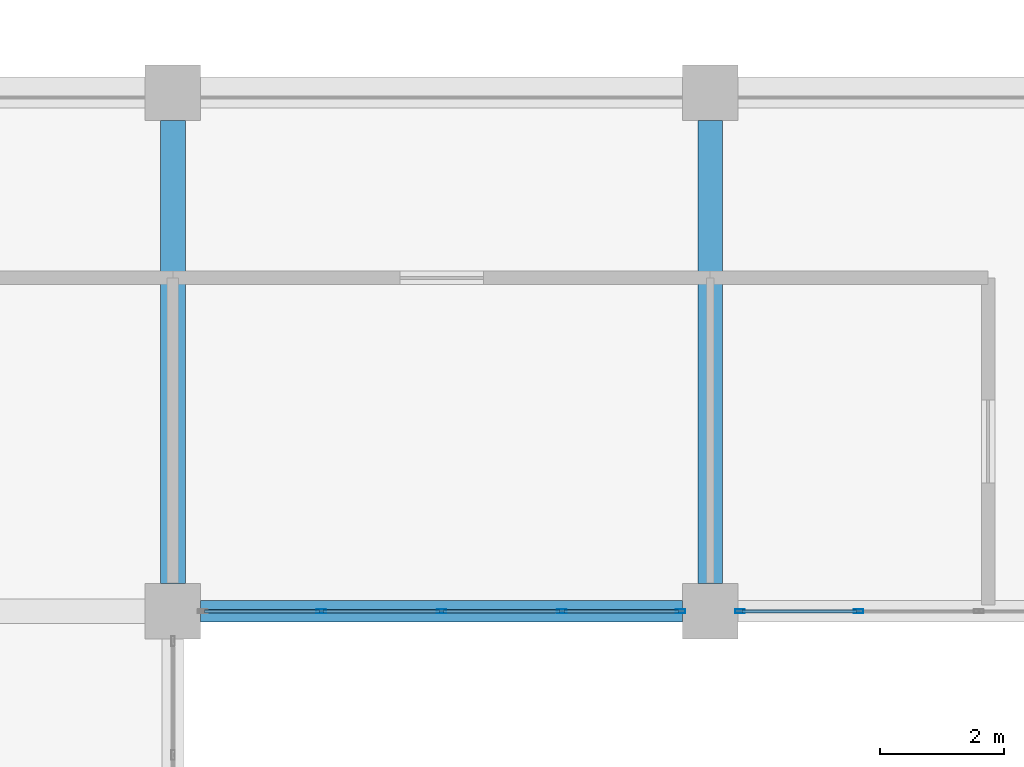
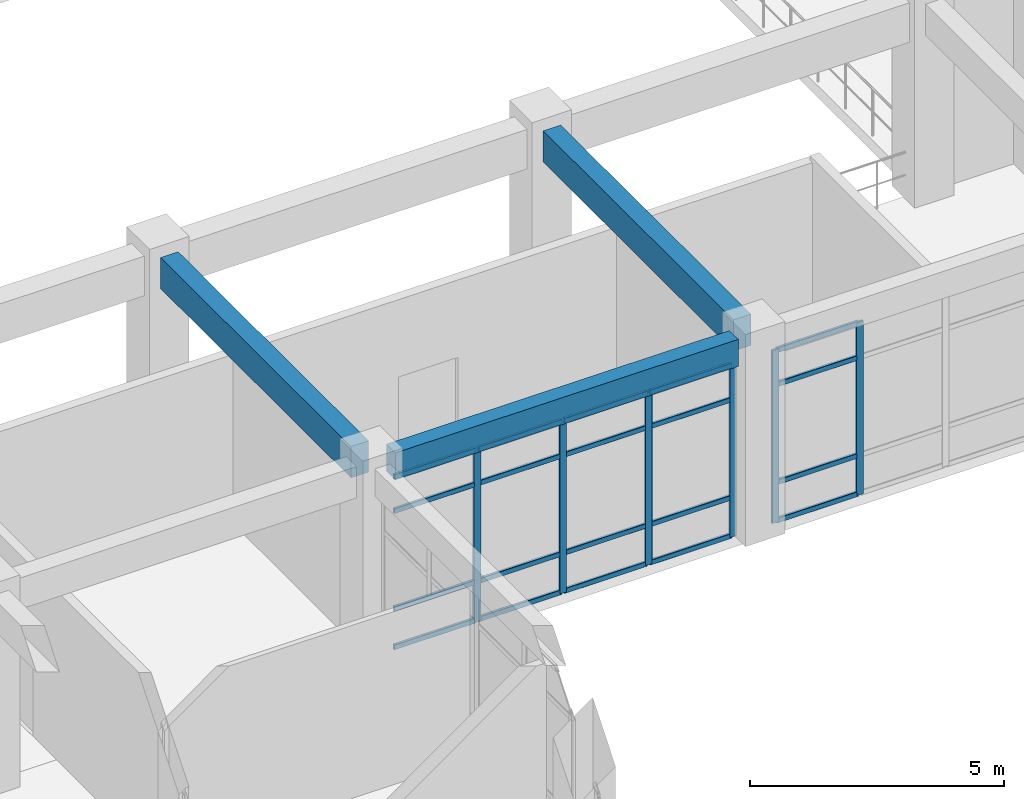
# One storey, part 38 of 120: 26 members, 3 beams, 2 elements without a shape of their own.
"""IFC4 building model written with IfcOpenShell, lengths in metres."""

from ifc_helpers import new_model, si_unit, derived_unit, direction, frame, origin, origin_2d, place, context, subcontext, project, spatial, rectangle, hollow_rectangle, extrude, material, layer, layer_set, material_profile, profile_set, type_object, element, aggregate, save


model = new_model("IFC4")

# Units and contexts
model_context = context("Model", 3, precision=1e-05, world=origin(), true_north=direction((0.0, 1.0)))
body_context = subcontext(model_context, "Body", "Model", "MODEL_VIEW")
ifc_project = project(units=[si_unit("LENGTHUNIT", "METRE"), si_unit("AREAUNIT", "SQUARE_METRE"), si_unit("VOLUMEUNIT", "CUBIC_METRE"), si_unit("PLANEANGLEUNIT", "RADIAN"), si_unit("MASSUNIT", "GRAM", prefix="KILO"), derived_unit("THERMALTRANSMITTANCEUNIT", [(si_unit("MASSUNIT", "GRAM", prefix="KILO"), 1), (si_unit("TIMEUNIT", "SECOND"), -3), (si_unit("THERMODYNAMICTEMPERATUREUNIT", "KELVIN"), -1)])], contexts=[model_context])

# Site, building, storey
site_placement = place(None, origin())
site = spatial("IfcSite", under=ifc_project, at=site_placement, CompositionType="ELEMENT")
building_placement = place(site_placement, origin())
building = spatial("IfcBuilding", under=site, at=building_placement, Name="Qinzheling Arcade Emporium", CompositionType="ELEMENT")
storey_placement = place(building_placement, frame((0.0, 0.0, 11.39990234375)))
storey = spatial("IfcBuildingStorey", under=building, at=storey_placement, Name="L03", CompositionType="ELEMENT", Elevation=11.39990234375)

# Curtain wall, members
ifc_material_1 = material(Name="Anodised aluminium and solar-control double glazing", Category="aluminium")
ifc_layer = layer(ifc_material_1, 0.159912109375, Name="Anodised aluminium and solar-control double glazing", Category="aluminium")
ifc_layer_set = layer_set([ifc_layer], Name="Anodised aluminium and solar-control double glazing")
curtain_wall_type = type_object("IfcCurtainWallType", Name="Atrium Clerestory Curtain Wall", PredefinedType="NOTDEFINED", material=ifc_layer_set)
curtain_wall_1_placement = place(storey_placement, origin())
curtain_wall_1 = element("IfcCurtainWall", 1, at=curtain_wall_1_placement, inside=storey, type_object=curtain_wall_type, Name="Curtain Wall CW-L03-143", PredefinedType="NOTDEFINED")
ifc_material_2 = material(Name="Anodised aluminium 6063-T6", Category="aluminium")
ifc_material_profile_1 = material_profile(ifc_material_2, hollow_rectangle(XDim=0.06005859375, YDim=0.159912109375, WallThickness=0.00390625, InnerFilletRadius=0.00390625, OuterFilletRadius=0.008056640625, at=origin_2d()), Name="RHS 160x60x4", Category="aluminium")
ifc_profile_set_1 = profile_set([ifc_material_profile_1], Name="Anodised aluminium 6063-T6")
member_type_1 = type_object("IfcMemberType", Name="Curtain Wall Mullion RHS160x60", PredefinedType="MULLION", material=ifc_profile_set_1)
member_1_placement = place(storey_placement, frame((80.700927734375, 42.0, 0.0), z_axis=(0.0, 0.0, 1.0), x_axis=(0.0, -1.0, 0.0)))
member_1 = element("IfcMember", 2, at=member_1_placement, type_object=member_type_1, Name="CW03 mullion 4", PredefinedType="MULLION", context=body_context, shape_type="SweptSolid", body=[
    extrude(hollow_rectangle(XDim=0.06005859375, YDim=0.159912109375, WallThickness=0.00390625, InnerFilletRadius=0.00390625, OuterFilletRadius=0.008056640625, at=origin_2d()), origin(), (0.0, 0.0, 1.0), 4.155029296875),
])
member_2_placement = place(storey_placement, frame((78.781982421875, 42.0, 0.0), z_axis=(0.0, 0.0, 1.0), x_axis=(0.0, -1.0, 0.0)))
member_2 = element("IfcMember", 3, at=member_2_placement, type_object=member_type_1, Name="CW03 mullion 5", PredefinedType="MULLION", context=body_context, shape_type="SweptSolid", body=[
    extrude(hollow_rectangle(XDim=0.06005859375, YDim=0.159912109375, WallThickness=0.00390625, InnerFilletRadius=0.00390625, OuterFilletRadius=0.008056640625, at=origin_2d()), origin(), (0.0, 0.0, 1.0), 4.155029296875),
])

curtain_wall_2_placement = place(storey_placement, origin())
curtain_wall_2 = element("IfcCurtainWall", 4, at=curtain_wall_2_placement, inside=storey, type_object=curtain_wall_type, Name="Curtain Wall CW-L03-144", PredefinedType="NOTDEFINED")
member_3_placement = place(storey_placement, frame((77.818115234375, 42.0, 0.0), z_axis=(0.0, 0.0, 1.0), x_axis=(0.0, -1.0, 0.0)))
member_3 = element("IfcMember", 5, at=member_3_placement, type_object=member_type_1, Name="CW03 mullion 1", PredefinedType="MULLION", context=body_context, shape_type="SweptSolid", body=[
    extrude(hollow_rectangle(XDim=0.06005859375, YDim=0.159912109375, WallThickness=0.00390625, InnerFilletRadius=0.00390625, OuterFilletRadius=0.008056640625, at=origin_2d()), origin(), (0.0, 0.0, 1.0), 4.155029296875),
])
member_4_placement = place(storey_placement, frame((75.89892578125, 42.0, 0.0), z_axis=(0.0, 0.0, 1.0), x_axis=(0.0, -1.0, 0.0)))
member_4 = element("IfcMember", 6, at=member_4_placement, type_object=member_type_1, Name="CW03 mullion 2", PredefinedType="MULLION", context=body_context, shape_type="SweptSolid", body=[
    extrude(hollow_rectangle(XDim=0.06005859375, YDim=0.159912109375, WallThickness=0.00390625, InnerFilletRadius=0.00390625, OuterFilletRadius=0.008056640625, at=origin_2d()), origin(), (0.0, 0.0, 1.0), 4.155029296875),
])
member_5_placement = place(storey_placement, frame((73.949951171875, 42.0, 0.0), z_axis=(0.0, 0.0, 1.0), x_axis=(0.0, -1.0, 0.0)))
member_5 = element("IfcMember", 7, at=member_5_placement, type_object=member_type_1, Name="CW03 mullion 3", PredefinedType="MULLION", context=body_context, shape_type="SweptSolid", body=[
    extrude(hollow_rectangle(XDim=0.06005859375, YDim=0.159912109375, WallThickness=0.00390625, InnerFilletRadius=0.00390625, OuterFilletRadius=0.008056640625, at=origin_2d()), origin(), (0.0, 0.0, 1.0), 4.155029296875),
])
member_6_placement = place(storey_placement, frame((72.0009765625, 42.0, 0.0), z_axis=(0.0, 0.0, 1.0), x_axis=(0.0, -1.0, 0.0)))
member_6 = element("IfcMember", 8, at=member_6_placement, type_object=member_type_1, Name="CW03 mullion 4", PredefinedType="MULLION", context=body_context, shape_type="SweptSolid", body=[
    extrude(hollow_rectangle(XDim=0.06005859375, YDim=0.159912109375, WallThickness=0.00390625, InnerFilletRadius=0.00390625, OuterFilletRadius=0.008056640625, at=origin_2d()), origin(), (0.0, 0.0, 1.0), 4.155029296875),
])

# Member
ifc_material_profile_2 = material_profile(ifc_material_2, hollow_rectangle(XDim=0.06005859375, YDim=0.1201171875, WallThickness=0.00390625, InnerFilletRadius=0.00390625, OuterFilletRadius=0.008056640625, at=origin_2d()), Name="RHS 120x60x4", Category="aluminium")
ifc_profile_set_2 = profile_set([ifc_material_profile_2], Name="Anodised aluminium 6063-T6")
member_type_2 = type_object("IfcMemberType", Name="Curtain Wall Transom RHS120x60", PredefinedType="USERDEFINED", material=ifc_profile_set_2)
member_7_placement = place(storey_placement, frame((80.6708984375, 42.0, 0.030029296875), z_axis=(-1.0, 0.0, 0.0), x_axis=(0.0, -1.0, 0.0)))
member_7 = element("IfcMember", 9, at=member_7_placement, type_object=member_type_2, Name="CW03 transom 4.1", ObjectType="TRANSOM", PredefinedType="USERDEFINED", context=body_context, shape_type="SweptSolid", body=[
    extrude(hollow_rectangle(XDim=0.06005859375, YDim=0.1201171875, WallThickness=0.00390625, InnerFilletRadius=0.00390625, OuterFilletRadius=0.008056640625, at=origin_2d()), origin(), (0.0, 0.0, 1.0), 1.85888671875),
])

member_8_placement = place(storey_placement, frame((80.6708984375, 42.0, 0.9501953125), z_axis=(-1.0, 0.0, 0.0), x_axis=(0.0, -1.0, 0.0)))
member_8 = element("IfcMember", 10, at=member_8_placement, type_object=member_type_2, Name="CW03 transom 4.2", ObjectType="TRANSOM", PredefinedType="USERDEFINED", context=body_context, shape_type="SweptSolid", body=[
    extrude(hollow_rectangle(XDim=0.06005859375, YDim=0.1201171875, WallThickness=0.00390625, InnerFilletRadius=0.00390625, OuterFilletRadius=0.008056640625, at=origin_2d()), origin(), (0.0, 0.0, 1.0), 1.85888671875),
])

member_9_placement = place(storey_placement, frame((80.6708984375, 42.0, 3.30517578125), z_axis=(-1.0, 0.0, 0.0), x_axis=(0.0, -1.0, 0.0)))
member_9 = element("IfcMember", 11, at=member_9_placement, type_object=member_type_2, Name="CW03 transom 4.3", ObjectType="TRANSOM", PredefinedType="USERDEFINED", context=body_context, shape_type="SweptSolid", body=[
    extrude(hollow_rectangle(XDim=0.06005859375, YDim=0.1201171875, WallThickness=0.00390625, InnerFilletRadius=0.00390625, OuterFilletRadius=0.008056640625, at=origin_2d()), origin(), (0.0, 0.0, 1.0), 1.85888671875),
])

member_10_placement = place(storey_placement, frame((80.6708984375, 42.0, 4.125), z_axis=(-1.0, 0.0, 0.0), x_axis=(0.0, -1.0, 0.0)))
member_10 = element("IfcMember", 12, at=member_10_placement, type_object=member_type_2, Name="CW03 transom 4.4", ObjectType="TRANSOM", PredefinedType="USERDEFINED", context=body_context, shape_type="SweptSolid", body=[
    extrude(hollow_rectangle(XDim=0.06005859375, YDim=0.1201171875, WallThickness=0.00390625, InnerFilletRadius=0.00390625, OuterFilletRadius=0.008056640625, at=origin_2d()), origin(), (0.0, 0.0, 1.0), 1.85888671875),
])

aggregate(curtain_wall_1, [member_1, member_2, member_7, member_8, member_9, member_10])

member_11_placement = place(storey_placement, frame((77.7880859375, 42.0, 0.030029296875), z_axis=(-1.0, 0.0, 0.0), x_axis=(0.0, -1.0, 0.0)))
member_11 = element("IfcMember", 13, at=member_11_placement, type_object=member_type_2, Name="CW03 transom 1.1", ObjectType="TRANSOM", PredefinedType="USERDEFINED", context=body_context, shape_type="SweptSolid", body=[
    extrude(hollow_rectangle(XDim=0.06005859375, YDim=0.1201171875, WallThickness=0.00390625, InnerFilletRadius=0.00390625, OuterFilletRadius=0.008056640625, at=origin_2d()), origin(), (0.0, 0.0, 1.0), 1.859130859375),
])

member_12_placement = place(storey_placement, frame((77.7880859375, 42.0, 0.9501953125), z_axis=(-1.0, 0.0, 0.0), x_axis=(0.0, -1.0, 0.0)))
member_12 = element("IfcMember", 14, at=member_12_placement, type_object=member_type_2, Name="CW03 transom 1.2", ObjectType="TRANSOM", PredefinedType="USERDEFINED", context=body_context, shape_type="SweptSolid", body=[
    extrude(hollow_rectangle(XDim=0.06005859375, YDim=0.1201171875, WallThickness=0.00390625, InnerFilletRadius=0.00390625, OuterFilletRadius=0.008056640625, at=origin_2d()), origin(), (0.0, 0.0, 1.0), 1.859130859375),
])

member_13_placement = place(storey_placement, frame((77.7880859375, 42.0, 3.30517578125), z_axis=(-1.0, 0.0, 0.0), x_axis=(0.0, -1.0, 0.0)))
member_13 = element("IfcMember", 15, at=member_13_placement, type_object=member_type_2, Name="CW03 transom 1.3", ObjectType="TRANSOM", PredefinedType="USERDEFINED", context=body_context, shape_type="SweptSolid", body=[
    extrude(hollow_rectangle(XDim=0.06005859375, YDim=0.1201171875, WallThickness=0.00390625, InnerFilletRadius=0.00390625, OuterFilletRadius=0.008056640625, at=origin_2d()), origin(), (0.0, 0.0, 1.0), 1.859130859375),
])

member_14_placement = place(storey_placement, frame((77.7880859375, 42.0, 4.125), z_axis=(-1.0, 0.0, 0.0), x_axis=(0.0, -1.0, 0.0)))
member_14 = element("IfcMember", 16, at=member_14_placement, type_object=member_type_2, Name="CW03 transom 1.4", ObjectType="TRANSOM", PredefinedType="USERDEFINED", context=body_context, shape_type="SweptSolid", body=[
    extrude(hollow_rectangle(XDim=0.06005859375, YDim=0.1201171875, WallThickness=0.00390625, InnerFilletRadius=0.00390625, OuterFilletRadius=0.008056640625, at=origin_2d()), origin(), (0.0, 0.0, 1.0), 1.859130859375),
])

member_15_placement = place(storey_placement, frame((75.868896484375, 42.0, 0.030029296875), z_axis=(-1.0, 0.0, 0.0), x_axis=(0.0, -1.0, 0.0)))
member_15 = element("IfcMember", 17, at=member_15_placement, type_object=member_type_2, Name="CW03 transom 2.1", ObjectType="TRANSOM", PredefinedType="USERDEFINED", context=body_context, shape_type="SweptSolid", body=[
    extrude(hollow_rectangle(XDim=0.06005859375, YDim=0.1201171875, WallThickness=0.00390625, InnerFilletRadius=0.00390625, OuterFilletRadius=0.008056640625, at=origin_2d()), origin(), (0.0, 0.0, 1.0), 1.888916015625),
])

member_16_placement = place(storey_placement, frame((75.868896484375, 42.0, 0.9501953125), z_axis=(-1.0, 0.0, 0.0), x_axis=(0.0, -1.0, 0.0)))
member_16 = element("IfcMember", 18, at=member_16_placement, type_object=member_type_2, Name="CW03 transom 2.2", ObjectType="TRANSOM", PredefinedType="USERDEFINED", context=body_context, shape_type="SweptSolid", body=[
    extrude(hollow_rectangle(XDim=0.06005859375, YDim=0.1201171875, WallThickness=0.00390625, InnerFilletRadius=0.00390625, OuterFilletRadius=0.008056640625, at=origin_2d()), origin(), (0.0, 0.0, 1.0), 1.888916015625),
])

member_17_placement = place(storey_placement, frame((75.868896484375, 42.0, 3.30517578125), z_axis=(-1.0, 0.0, 0.0), x_axis=(0.0, -1.0, 0.0)))
member_17 = element("IfcMember", 19, at=member_17_placement, type_object=member_type_2, Name="CW03 transom 2.3", ObjectType="TRANSOM", PredefinedType="USERDEFINED", context=body_context, shape_type="SweptSolid", body=[
    extrude(hollow_rectangle(XDim=0.06005859375, YDim=0.1201171875, WallThickness=0.00390625, InnerFilletRadius=0.00390625, OuterFilletRadius=0.008056640625, at=origin_2d()), origin(), (0.0, 0.0, 1.0), 1.888916015625),
])

member_18_placement = place(storey_placement, frame((75.868896484375, 42.0, 4.125), z_axis=(-1.0, 0.0, 0.0), x_axis=(0.0, -1.0, 0.0)))
member_18 = element("IfcMember", 20, at=member_18_placement, type_object=member_type_2, Name="CW03 transom 2.4", ObjectType="TRANSOM", PredefinedType="USERDEFINED", context=body_context, shape_type="SweptSolid", body=[
    extrude(hollow_rectangle(XDim=0.06005859375, YDim=0.1201171875, WallThickness=0.00390625, InnerFilletRadius=0.00390625, OuterFilletRadius=0.008056640625, at=origin_2d()), origin(), (0.0, 0.0, 1.0), 1.888916015625),
])

member_19_placement = place(storey_placement, frame((73.919921875, 42.0, 0.030029296875), z_axis=(-1.0, 0.0, 0.0), x_axis=(0.0, -1.0, 0.0)))
member_19 = element("IfcMember", 21, at=member_19_placement, type_object=member_type_2, Name="CW03 transom 3.1", ObjectType="TRANSOM", PredefinedType="USERDEFINED", context=body_context, shape_type="SweptSolid", body=[
    extrude(hollow_rectangle(XDim=0.06005859375, YDim=0.1201171875, WallThickness=0.00390625, InnerFilletRadius=0.00390625, OuterFilletRadius=0.008056640625, at=origin_2d()), origin(), (0.0, 0.0, 1.0), 1.888916015625),
])

member_20_placement = place(storey_placement, frame((73.919921875, 42.0, 0.9501953125), z_axis=(-1.0, 0.0, 0.0), x_axis=(0.0, -1.0, 0.0)))
member_20 = element("IfcMember", 22, at=member_20_placement, type_object=member_type_2, Name="CW03 transom 3.2", ObjectType="TRANSOM", PredefinedType="USERDEFINED", context=body_context, shape_type="SweptSolid", body=[
    extrude(hollow_rectangle(XDim=0.06005859375, YDim=0.1201171875, WallThickness=0.00390625, InnerFilletRadius=0.00390625, OuterFilletRadius=0.008056640625, at=origin_2d()), origin(), (0.0, 0.0, 1.0), 1.888916015625),
])

member_21_placement = place(storey_placement, frame((73.919921875, 42.0, 3.30517578125), z_axis=(-1.0, 0.0, 0.0), x_axis=(0.0, -1.0, 0.0)))
member_21 = element("IfcMember", 23, at=member_21_placement, type_object=member_type_2, Name="CW03 transom 3.3", ObjectType="TRANSOM", PredefinedType="USERDEFINED", context=body_context, shape_type="SweptSolid", body=[
    extrude(hollow_rectangle(XDim=0.06005859375, YDim=0.1201171875, WallThickness=0.00390625, InnerFilletRadius=0.00390625, OuterFilletRadius=0.008056640625, at=origin_2d()), origin(), (0.0, 0.0, 1.0), 1.888916015625),
])

member_22_placement = place(storey_placement, frame((73.919921875, 42.0, 4.125), z_axis=(-1.0, 0.0, 0.0), x_axis=(0.0, -1.0, 0.0)))
member_22 = element("IfcMember", 24, at=member_22_placement, type_object=member_type_2, Name="CW03 transom 3.4", ObjectType="TRANSOM", PredefinedType="USERDEFINED", context=body_context, shape_type="SweptSolid", body=[
    extrude(hollow_rectangle(XDim=0.06005859375, YDim=0.1201171875, WallThickness=0.00390625, InnerFilletRadius=0.00390625, OuterFilletRadius=0.008056640625, at=origin_2d()), origin(), (0.0, 0.0, 1.0), 1.888916015625),
])

member_23_placement = place(storey_placement, frame((71.970947265625, 42.0, 0.030029296875), z_axis=(-1.0, 0.0, 0.0), x_axis=(0.0, -1.0, 0.0)))
member_23 = element("IfcMember", 25, at=member_23_placement, type_object=member_type_2, Name="CW03 transom 4.1", ObjectType="TRANSOM", PredefinedType="USERDEFINED", context=body_context, shape_type="SweptSolid", body=[
    extrude(hollow_rectangle(XDim=0.06005859375, YDim=0.1201171875, WallThickness=0.00390625, InnerFilletRadius=0.00390625, OuterFilletRadius=0.008056640625, at=origin_2d()), origin(), (0.0, 0.0, 1.0), 1.85888671875),
])

member_24_placement = place(storey_placement, frame((71.970947265625, 42.0, 0.9501953125), z_axis=(-1.0, 0.0, 0.0), x_axis=(0.0, -1.0, 0.0)))
member_24 = element("IfcMember", 26, at=member_24_placement, type_object=member_type_2, Name="CW03 transom 4.2", ObjectType="TRANSOM", PredefinedType="USERDEFINED", context=body_context, shape_type="SweptSolid", body=[
    extrude(hollow_rectangle(XDim=0.06005859375, YDim=0.1201171875, WallThickness=0.00390625, InnerFilletRadius=0.00390625, OuterFilletRadius=0.008056640625, at=origin_2d()), origin(), (0.0, 0.0, 1.0), 1.85888671875),
])

member_25_placement = place(storey_placement, frame((71.970947265625, 42.0, 3.30517578125), z_axis=(-1.0, 0.0, 0.0), x_axis=(0.0, -1.0, 0.0)))
member_25 = element("IfcMember", 27, at=member_25_placement, type_object=member_type_2, Name="CW03 transom 4.3", ObjectType="TRANSOM", PredefinedType="USERDEFINED", context=body_context, shape_type="SweptSolid", body=[
    extrude(hollow_rectangle(XDim=0.06005859375, YDim=0.1201171875, WallThickness=0.00390625, InnerFilletRadius=0.00390625, OuterFilletRadius=0.008056640625, at=origin_2d()), origin(), (0.0, 0.0, 1.0), 1.85888671875),
])

member_26_placement = place(storey_placement, frame((71.970947265625, 42.0, 4.125), z_axis=(-1.0, 0.0, 0.0), x_axis=(0.0, -1.0, 0.0)))
member_26 = element("IfcMember", 28, at=member_26_placement, type_object=member_type_2, Name="CW03 transom 4.4", ObjectType="TRANSOM", PredefinedType="USERDEFINED", context=body_context, shape_type="SweptSolid", body=[
    extrude(hollow_rectangle(XDim=0.06005859375, YDim=0.1201171875, WallThickness=0.00390625, InnerFilletRadius=0.00390625, OuterFilletRadius=0.008056640625, at=origin_2d()), origin(), (0.0, 0.0, 1.0), 1.85888671875),
])

aggregate(curtain_wall_2, [member_3, member_4, member_5, member_6, member_11, member_12, member_13, member_14, member_15, member_16, member_17, member_18, member_19, member_20, member_21, member_22, member_23, member_24, member_25, member_26])

# Beams
ifc_material_3 = material(Name="Concrete C40", Category="concrete")
ifc_material_profile_3 = material_profile(ifc_material_3, rectangle(XDim=0.39990234375, YDim=0.75, at=origin_2d()), Name="RC 400x750", Category="concrete")
ifc_profile_set_3 = profile_set([ifc_material_profile_3], Name="Concrete C40")
beam_type_1 = type_object("IfcBeamType", Name="RC Interior Tie Beam 400x750 C40", PredefinedType="BEAM", material=ifc_profile_set_3)
for number, where, z_axis, x_axis, name in (
    (29, (69.60009765625, 42.449951171875, 4.445068359375), (0.0, 1.0, 0.0), (-1.0, 0.0, 0.0), "Beam BM-L03-Y-9-F"),
    (30, (78.300048828125, 42.449951171875, 4.445068359375), (0.0, 1.0, 0.0), (-1.0, 0.0, 0.0), "Beam BM-L03-Y-10-F"),
):
    element("IfcBeam", number, at=place(storey_placement, frame(where, z_axis=z_axis, x_axis=x_axis)), inside=storey, type_object=beam_type_1, Name=name, PredefinedType="BEAM", context=body_context, shape_type="SweptSolid", body=[
        extrude(rectangle(XDim=0.39990234375, YDim=0.75, at=origin_2d()), origin(), (0.0, 0.0, 1.0), 7.5),
    ])
ifc_material_profile_4 = material_profile(ifc_material_3, rectangle(XDim=0.35009765625, YDim=0.64990234375, at=origin_2d()), Name="RC 350x650", Category="concrete")
ifc_profile_set_4 = profile_set([ifc_material_profile_4], Name="Concrete C40")
beam_type_2 = type_object("IfcBeamType", Name="RC Spandrel Edge Beam 350x650 C40", PredefinedType="SPANDREL", material=ifc_profile_set_4)
beam_placement = place(storey_placement, frame((70.050048828125, 42.0, 4.4951171875), z_axis=(1.0, 0.0, 0.0), x_axis=(0.0, 1.0, 0.0)))
element("IfcBeam", 31, at=beam_placement, inside=storey, type_object=beam_type_2, Name="Beam BM-L03-X-F-9", PredefinedType="SPANDREL", context=body_context, shape_type="SweptSolid", body=[
    extrude(rectangle(XDim=0.35009765625, YDim=0.64990234375, at=origin_2d()), origin(), (0.0, 0.0, 1.0), 7.800048828125),
])

save(model, "model.ifc")
